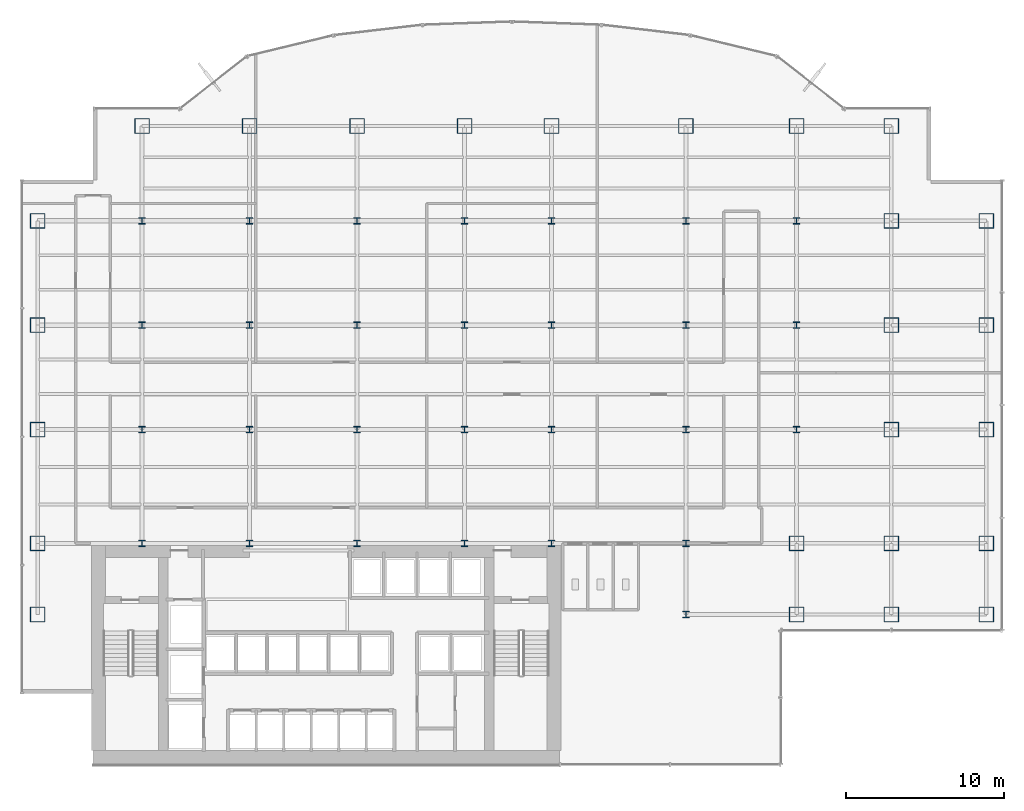
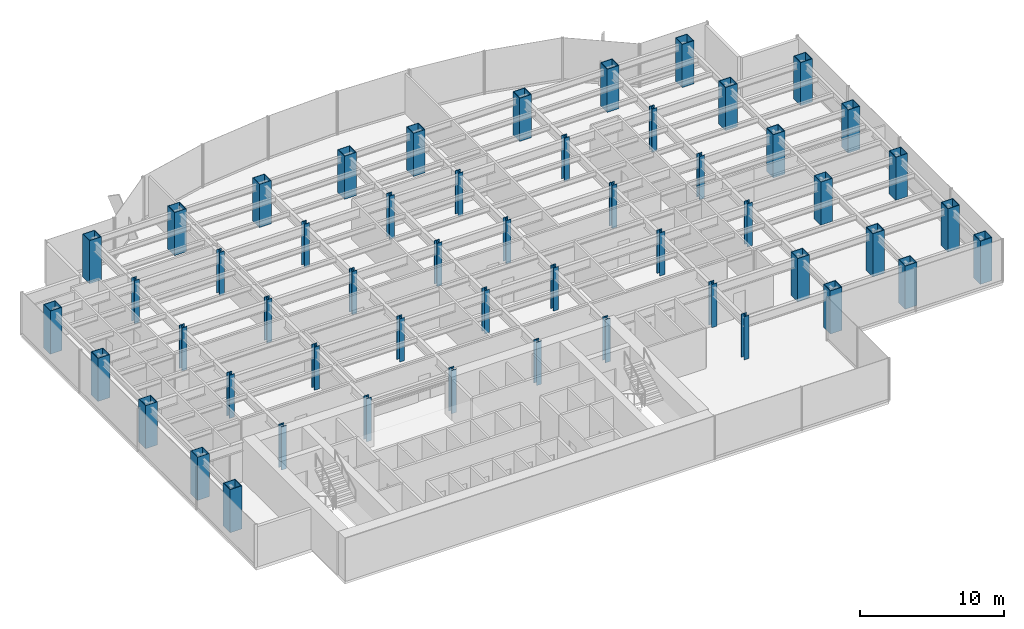
# One storey, part 1 of 23: 53 columns.
"""IFC4 building model written with IfcOpenShell, lengths in metres."""

from ifc_helpers import new_model, si_unit, derived_unit, direction, frame, origin, origin_2d, place, context, subcontext, project, spatial, hollow_rectangle, i_section, extrude, source, transform, mapped, material, material_profile, profile_set, type_object, element, save


model = new_model("IFC4")

# Units and contexts
model_context = context("Model", 3, precision=1e-05, world=origin(), true_north=direction((0.0, 1.0)))
body_context = subcontext(model_context, "Body", "Model", "MODEL_VIEW")
ifc_project = project(units=[si_unit("LENGTHUNIT", "METRE"), si_unit("AREAUNIT", "SQUARE_METRE"), si_unit("VOLUMEUNIT", "CUBIC_METRE"), si_unit("PLANEANGLEUNIT", "RADIAN"), si_unit("MASSUNIT", "GRAM", prefix="KILO"), derived_unit("THERMALTRANSMITTANCEUNIT", [(si_unit("POWERUNIT", "WATT"), 1), (si_unit("LENGTHUNIT", "METRE"), -2), (si_unit("THERMODYNAMICTEMPERATUREUNIT", "KELVIN"), -1)])], contexts=[model_context])

# Site, building, storey
site_placement = place(None, origin())
site = spatial("IfcSite", under=ifc_project, at=site_placement, CompositionType="ELEMENT")
building_placement = place(site_placement, origin())
building = spatial("IfcBuilding", under=site, at=building_placement, Name="Skarnbrae Concourse Arena and Tower", CompositionType="ELEMENT")
storey_placement = place(building_placement, frame((0.0, 0.0, 50.75)))
storey = spatial("IfcBuildingStorey", under=building, at=storey_placement, Name="L11", CompositionType="ELEMENT", Elevation=50.75)

# Columns
ifc_material = material(Name="Steel CSA G40.21 350W", Category="steel")
ifc_material_profile_1 = material_profile(ifc_material, hollow_rectangle(XDim=0.949951171875, YDim=0.949951171875, WallThickness=0.044921875, at=origin_2d()), Name="BOX950X950X45")
ifc_profile_set_1 = profile_set([ifc_material_profile_1], Name="Steel CSA G40.21 350W")
column_type_1 = type_object("IfcColumnType", Name="COL-TUBE-BOX950", PredefinedType="COLUMN", material=ifc_profile_set_1)
shared_shape_1 = source(origin(), body_context, "Body", "SweptSolid", [
    extrude(hollow_rectangle(XDim=0.949951171875, YDim=0.949951171875, WallThickness=0.044921875, at=origin_2d()), origin(), (0.0, 0.0, 1.0), 3.64990234375),
])
for number, where, z_axis, x_axis, name in (
    (1, (1.0, 9.5, 0.0), (0.0, 0.0, 1.0), (1.0, 0.0, 0.0), "L11 Tower column PC_01_01"),
    (2, (1.0, 14.0, 0.0), (0.0, 0.0, 1.0), (1.0, 0.0, 0.0), "L11 Tower column PC_01_02"),
    (3, (1.0, 21.199951171875, 0.0), (0.0, 0.0, 1.0), (1.0, 0.0, 0.0), "L11 Tower column PC_01_03"),
    (4, (1.0, 27.800048828125, 0.0), (0.0, 0.0, 1.0), (1.0, 0.0, 0.0), "L11 Tower column PC_01_04"),
    (5, (1.0, 34.39990234375, 0.0), (0.0, 0.0, 1.0), (1.0, 0.0, 0.0), "L11 Tower column PC_01_05"),
    (6, (7.60009765625, 40.39990234375, 0.0), (0.0, 0.0, 1.0), (1.0, 0.0, 0.0), "L11 Tower column PC_02_06"),
    (7, (14.39990234375, 40.39990234375, 0.0), (0.0, 0.0, 1.0), (1.0, 0.0, 0.0), "L11 Tower column PC_03_06"),
    (8, (21.199951171875, 40.39990234375, 0.0), (0.0, 0.0, 1.0), (1.0, 0.0, 0.0), "L11 Tower column PC_04_06"),
    (9, (28.0, 40.39990234375, 0.0), (0.0, 0.0, 1.0), (1.0, 0.0, 0.0), "L11 Tower column PC_05_06"),
    (10, (33.5, 40.39990234375, 0.0), (0.0, 0.0, 1.0), (1.0, 0.0, 0.0), "L11 Tower column PC_06_06"),
    (11, (42.0, 40.39990234375, 0.0), (0.0, 0.0, 1.0), (1.0, 0.0, 0.0), "L11 Tower column PC_07_06"),
    (12, (49.0, 9.5, 0.0), (0.0, 0.0, 1.0), (1.0, 0.0, 0.0), "L11 Tower column PC_08_01"),
    (13, (49.0, 14.0, 0.0), (0.0, 0.0, 1.0), (1.0, 0.0, 0.0), "L11 Tower column PC_08_02"),
    (14, (49.0, 40.39990234375, 0.0), (0.0, 0.0, 1.0), (1.0, 0.0, 0.0), "L11 Tower column PC_08_06"),
    (15, (55.0, 9.5, 0.0), (0.0, 0.0, 1.0), (1.0, 0.0, 0.0), "L11 Tower column PC_09_01"),
    (16, (55.0, 14.0, 0.0), (0.0, 0.0, 1.0), (1.0, 0.0, 0.0), "L11 Tower column PC_09_02"),
    (17, (55.0, 21.199951171875, 0.0), (0.0, 0.0, 1.0), (1.0, 0.0, 0.0), "L11 Tower column PC_09_03"),
    (18, (55.0, 27.800048828125, 0.0), (0.0, 0.0, 1.0), (1.0, 0.0, 0.0), "L11 Tower column PC_09_04"),
    (19, (55.0, 34.39990234375, 0.0), (0.0, 0.0, 1.0), (1.0, 0.0, 0.0), "L11 Tower column PC_09_05"),
    (20, (55.0, 40.39990234375, 0.0), (0.0, 0.0, 1.0), (1.0, 0.0, 0.0), "L11 Tower column PC_09_06"),
    (21, (61.0, 9.5, 0.0), (0.0, 0.0, 1.0), (1.0, 0.0, 0.0), "L11 Tower column PC_10_01"),
    (22, (61.0, 14.0, 0.0), (0.0, 0.0, 1.0), (1.0, 0.0, 0.0), "L11 Tower column PC_10_02"),
    (23, (61.0, 21.199951171875, 0.0), (0.0, 0.0, 1.0), (1.0, 0.0, 0.0), "L11 Tower column PC_10_03"),
    (24, (61.0, 27.800048828125, 0.0), (0.0, 0.0, 1.0), (1.0, 0.0, 0.0), "L11 Tower column PC_10_04"),
    (25, (61.0, 34.39990234375, 0.0), (0.0, 0.0, 1.0), (1.0, 0.0, 0.0), "L11 Tower column PC_10_05"),
):
    element("IfcColumn", number, at=place(storey_placement, frame(where, z_axis=z_axis, x_axis=x_axis)), inside=storey, type_object=column_type_1, Name=name, PredefinedType="COLUMN", context=body_context, shape_type="MappedRepresentation", body=[
        mapped(shared_shape_1, transform((0.0, 0.0, 0.0))),
    ])
ifc_material_profile_2 = material_profile(ifc_material, i_section(OverallWidth=0.406005859375, OverallDepth=0.416015625, WebThickness=0.02978515625, FlangeThickness=0.048095703125, at=origin_2d()), Name="W360X382")
ifc_profile_set_2 = profile_set([ifc_material_profile_2], Name="Steel CSA G40.21 350W")
column_type_2 = type_object("IfcColumnType", Name="COL-INT-W360X382", PredefinedType="COLUMN", material=ifc_profile_set_2)
shared_shape_2 = source(origin(), body_context, "Body", "SweptSolid", [
    extrude(i_section(OverallWidth=0.406005859375, OverallDepth=0.416015625, WebThickness=0.02978515625, FlangeThickness=0.048095703125, at=origin_2d()), origin(), (0.0, 0.0, 1.0), 3.64990234375),
])
for number, where, z_axis, x_axis, name in (
    (26, (7.60009765625, 14.0, 0.0), (0.0, 0.0, 1.0), (1.0, 0.0, 0.0), "L11 Tower column IC_02_02"),
    (27, (7.60009765625, 21.199951171875, 0.0), (0.0, 0.0, 1.0), (1.0, 0.0, 0.0), "L11 Tower column IC_02_03"),
    (28, (7.60009765625, 27.800048828125, 0.0), (0.0, 0.0, 1.0), (1.0, 0.0, 0.0), "L11 Tower column IC_02_04"),
    (29, (7.60009765625, 34.39990234375, 0.0), (0.0, 0.0, 1.0), (1.0, 0.0, 0.0), "L11 Tower column IC_02_05"),
    (30, (14.39990234375, 14.0, 0.0), (0.0, 0.0, 1.0), (1.0, 0.0, 0.0), "L11 Tower column IC_03_02"),
    (31, (14.39990234375, 21.199951171875, 0.0), (0.0, 0.0, 1.0), (1.0, 0.0, 0.0), "L11 Tower column IC_03_03"),
    (32, (14.39990234375, 27.800048828125, 0.0), (0.0, 0.0, 1.0), (1.0, 0.0, 0.0), "L11 Tower column IC_03_04"),
    (33, (14.39990234375, 34.39990234375, 0.0), (0.0, 0.0, 1.0), (1.0, 0.0, 0.0), "L11 Tower column IC_03_05"),
    (34, (21.199951171875, 14.0, 0.0), (0.0, 0.0, 1.0), (1.0, 0.0, 0.0), "L11 Tower column IC_04_02"),
    (35, (21.199951171875, 21.199951171875, 0.0), (0.0, 0.0, 1.0), (1.0, 0.0, 0.0), "L11 Tower column IC_04_03"),
    (36, (21.199951171875, 27.800048828125, 0.0), (0.0, 0.0, 1.0), (1.0, 0.0, 0.0), "L11 Tower column IC_04_04"),
    (37, (21.199951171875, 34.39990234375, 0.0), (0.0, 0.0, 1.0), (1.0, 0.0, 0.0), "L11 Tower column IC_04_05"),
    (38, (28.0, 14.0, 0.0), (0.0, 0.0, 1.0), (1.0, 0.0, 0.0), "L11 Tower column IC_05_02"),
    (39, (28.0, 21.199951171875, 0.0), (0.0, 0.0, 1.0), (1.0, 0.0, 0.0), "L11 Tower column IC_05_03"),
    (40, (28.0, 27.800048828125, 0.0), (0.0, 0.0, 1.0), (1.0, 0.0, 0.0), "L11 Tower column IC_05_04"),
    (41, (28.0, 34.39990234375, 0.0), (0.0, 0.0, 1.0), (1.0, 0.0, 0.0), "L11 Tower column IC_05_05"),
    (42, (33.5, 14.0, 0.0), (0.0, 0.0, 1.0), (1.0, 0.0, 0.0), "L11 Tower column IC_06_02"),
    (43, (33.5, 21.199951171875, 0.0), (0.0, 0.0, 1.0), (1.0, 0.0, 0.0), "L11 Tower column IC_06_03"),
    (44, (33.5, 27.800048828125, 0.0), (0.0, 0.0, 1.0), (1.0, 0.0, 0.0), "L11 Tower column IC_06_04"),
    (45, (33.5, 34.39990234375, 0.0), (0.0, 0.0, 1.0), (1.0, 0.0, 0.0), "L11 Tower column IC_06_05"),
    (46, (42.0, 9.5, 0.0), (0.0, 0.0, 1.0), (1.0, 0.0, 0.0), "L11 Tower column IC_07_01"),
    (47, (42.0, 14.0, 0.0), (0.0, 0.0, 1.0), (1.0, 0.0, 0.0), "L11 Tower column IC_07_02"),
    (48, (42.0, 21.199951171875, 0.0), (0.0, 0.0, 1.0), (1.0, 0.0, 0.0), "L11 Tower column IC_07_03"),
    (49, (42.0, 27.800048828125, 0.0), (0.0, 0.0, 1.0), (1.0, 0.0, 0.0), "L11 Tower column IC_07_04"),
    (50, (42.0, 34.39990234375, 0.0), (0.0, 0.0, 1.0), (1.0, 0.0, 0.0), "L11 Tower column IC_07_05"),
    (51, (49.0, 21.199951171875, 0.0), (0.0, 0.0, 1.0), (1.0, 0.0, 0.0), "L11 Tower column IC_08_03"),
    (52, (49.0, 27.800048828125, 0.0), (0.0, 0.0, 1.0), (1.0, 0.0, 0.0), "L11 Tower column IC_08_04"),
    (53, (49.0, 34.39990234375, 0.0), (0.0, 0.0, 1.0), (1.0, 0.0, 0.0), "L11 Tower column IC_08_05"),
):
    element("IfcColumn", number, at=place(storey_placement, frame(where, z_axis=z_axis, x_axis=x_axis)), inside=storey, type_object=column_type_2, Name=name, PredefinedType="COLUMN", context=body_context, shape_type="MappedRepresentation", body=[
        mapped(shared_shape_2, transform((0.0, 0.0, 0.0))),
    ])

save(model, "model.ifc")
